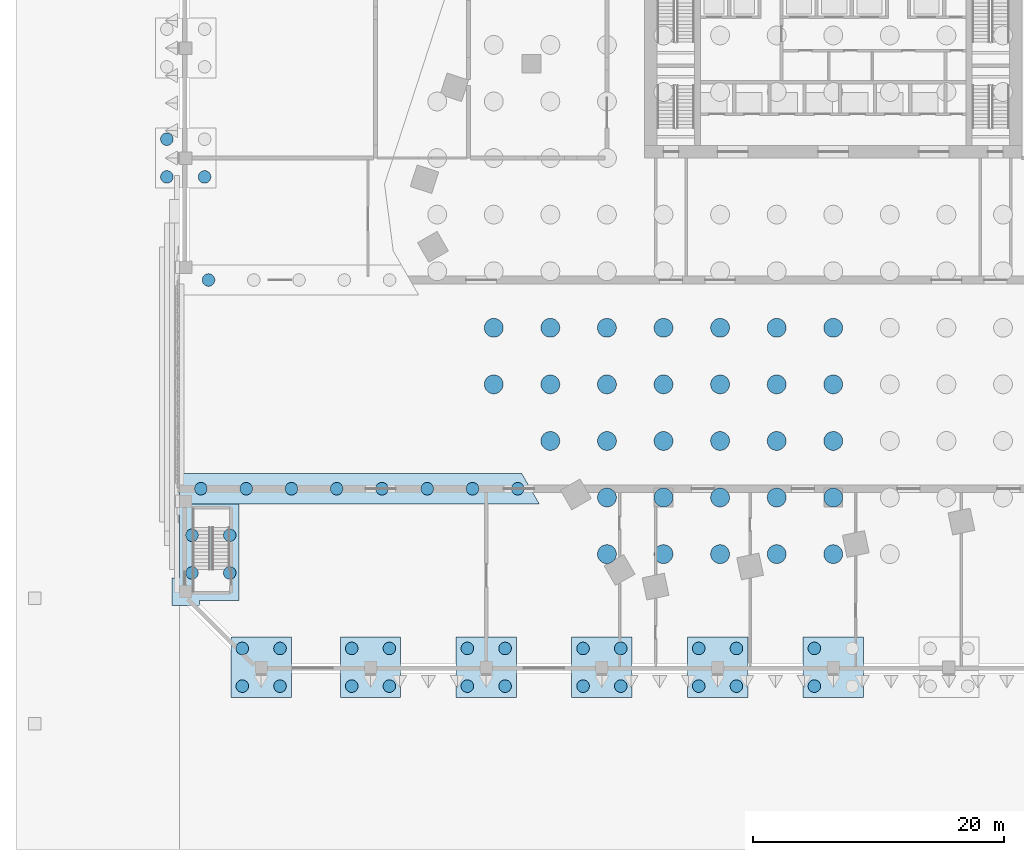
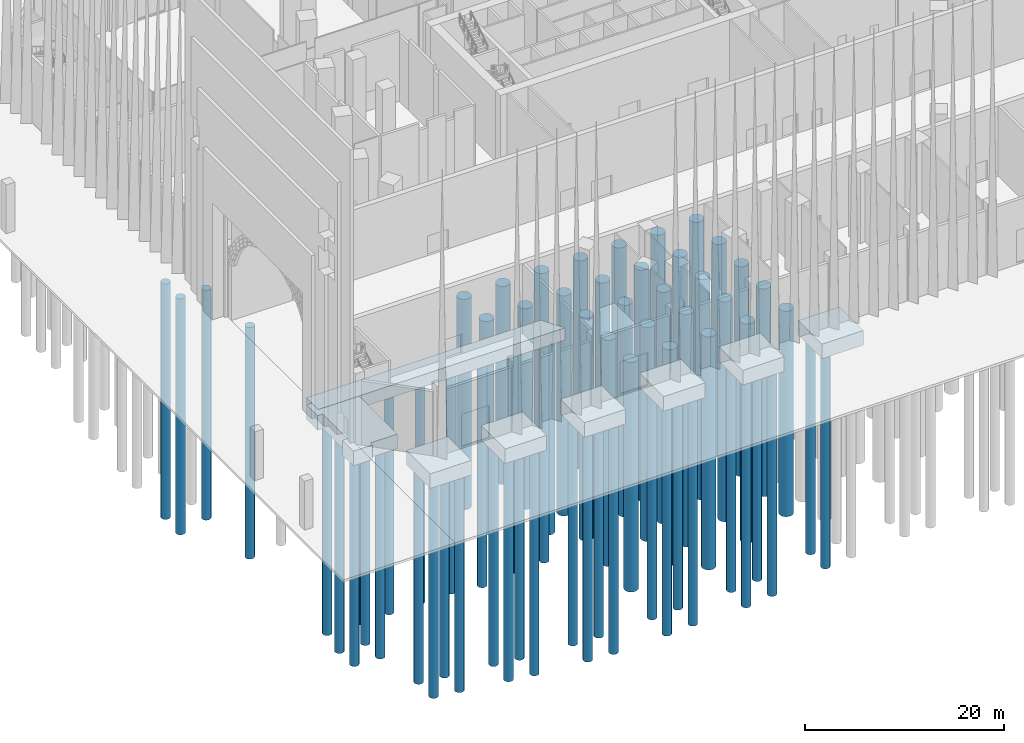
# One storey, part 1 of 32: 68 piles, 8 footings.
"""IFC4 building model written with IfcOpenShell, lengths in metres."""

from ifc_helpers import new_model, si_unit, direction, frame, origin, origin_2d, place, context, subcontext, project, spatial, polyline, circle, outline, extrude, material, layer, layer_set, material_profile, profile_set, type_object, element, save


model = new_model("IFC4")

# Units and contexts
model_context = context("Model", 3, precision=1e-05, world=origin(), true_north=direction((0.0, 1.0)))
body_context = subcontext(model_context, "Body", "Model", "MODEL_VIEW")
ifc_project = project(units=[si_unit("LENGTHUNIT", "METRE"), si_unit("AREAUNIT", "SQUARE_METRE"), si_unit("VOLUMEUNIT", "CUBIC_METRE"), si_unit("PLANEANGLEUNIT", "RADIAN"), si_unit("MASSUNIT", "GRAM", prefix="KILO")], contexts=[model_context])

# Site, building, storey
site_placement = place(None, origin())
site = spatial("IfcSite", under=ifc_project, at=site_placement, CompositionType="ELEMENT")
building_placement = place(site_placement, origin())
building = spatial("IfcBuilding", under=site, at=building_placement, Name="Isthmus Gate Tower", CompositionType="ELEMENT")
storey_placement = place(building_placement, origin())
storey = spatial("IfcBuildingStorey", under=building, at=storey_placement, Name="L00", CompositionType="ELEMENT", Elevation=0.0)

# Piles
ifc_material_1 = material(Name="Concrete f'c 50 MPa", Category="concrete")
ifc_material_profile_1 = material_profile(ifc_material_1, circle(Radius=0.5, at=origin_2d()), Name="D1000")
ifc_profile_set_1 = profile_set([ifc_material_profile_1], Name="Concrete f'c 50 MPa")
pile_type_1 = type_object("IfcPileType", Name="BORED PILE D1000", PredefinedType="BORED", material=ifc_profile_set_1)
pile_1_placement = place(storey_placement, frame((-50.2919921875, -26.300048828125, -1.5), z_axis=(0.0, 0.0, -1.0), x_axis=(1.0, 0.0, 0.0)))
element("IfcPile", 1, at=pile_1_placement, inside=storey, type_object=pile_type_1, Name="str-pile-L00-171", PredefinedType="BORED", context=body_context, shape_type="SweptSolid", body=[
    extrude(circle(Radius=0.5, at=origin_2d()), origin(), (0.0, 0.0, 1.0), 27.531494140625),
])
pile_2_placement = place(storey_placement, frame((-46.69189453125, -26.300048828125, -1.5), z_axis=(0.0, 0.0, -1.0), x_axis=(1.0, 0.0, 0.0)))
element("IfcPile", 2, at=pile_2_placement, inside=storey, type_object=pile_type_1, Name="str-pile-L00-172", PredefinedType="BORED", context=body_context, shape_type="SweptSolid", body=[
    extrude(circle(Radius=0.5, at=origin_2d()), origin(), (0.0, 0.0, 1.0), 27.519775390625),
])
pile_3_placement = place(storey_placement, frame((-43.092041015625, -26.300048828125, -1.5), z_axis=(0.0, 0.0, -1.0), x_axis=(1.0, 0.0, 0.0)))
element("IfcPile", 3, at=pile_3_placement, inside=storey, type_object=pile_type_1, Name="str-pile-L00-173", PredefinedType="BORED", context=body_context, shape_type="SweptSolid", body=[
    extrude(circle(Radius=0.5, at=origin_2d()), origin(), (0.0, 0.0, 1.0), 27.506103515625),
])
pile_4_placement = place(storey_placement, frame((-39.491943359375, -26.300048828125, -1.5), z_axis=(0.0, 0.0, -1.0), x_axis=(1.0, 0.0, 0.0)))
element("IfcPile", 4, at=pile_4_placement, inside=storey, type_object=pile_type_1, Name="str-pile-L00-174", PredefinedType="BORED", context=body_context, shape_type="SweptSolid", body=[
    extrude(circle(Radius=0.5, at=origin_2d()), origin(), (0.0, 0.0, 1.0), 27.49169921875),
])
pile_5_placement = place(storey_placement, frame((-35.891845703125, -26.300048828125, -1.5), z_axis=(0.0, 0.0, -1.0), x_axis=(1.0, 0.0, 0.0)))
element("IfcPile", 5, at=pile_5_placement, inside=storey, type_object=pile_type_1, Name="str-pile-L00-175", PredefinedType="BORED", context=body_context, shape_type="SweptSolid", body=[
    extrude(circle(Radius=0.5, at=origin_2d()), origin(), (0.0, 0.0, 1.0), 27.47802734375),
])
pile_6_placement = place(storey_placement, frame((-32.2919921875, -26.300048828125, -1.5), z_axis=(0.0, 0.0, -1.0), x_axis=(1.0, 0.0, 0.0)))
element("IfcPile", 6, at=pile_6_placement, inside=storey, type_object=pile_type_1, Name="str-pile-L00-176", PredefinedType="BORED", context=body_context, shape_type="SweptSolid", body=[
    extrude(circle(Radius=0.5, at=origin_2d()), origin(), (0.0, 0.0, 1.0), 27.966796875),
])
pile_7_placement = place(storey_placement, frame((-28.69189453125, -26.300048828125, -1.5), z_axis=(0.0, 0.0, -1.0), x_axis=(1.0, 0.0, 0.0)))
element("IfcPile", 7, at=pile_7_placement, inside=storey, type_object=pile_type_1, Name="str-pile-L00-177", PredefinedType="BORED", context=body_context, shape_type="SweptSolid", body=[
    extrude(circle(Radius=0.5, at=origin_2d()), origin(), (0.0, 0.0, 1.0), 27.458984375),
])
pile_8_placement = place(storey_placement, frame((-25.092041015625, -26.300048828125, -1.5), z_axis=(0.0, 0.0, -1.0), x_axis=(1.0, 0.0, 0.0)))
element("IfcPile", 8, at=pile_8_placement, inside=storey, type_object=pile_type_1, Name="str-pile-L00-178", PredefinedType="BORED", context=body_context, shape_type="SweptSolid", body=[
    extrude(circle(Radius=0.5, at=origin_2d()), origin(), (0.0, 0.0, 1.0), 27.45556640625),
])
pile_9_placement = place(storey_placement, frame((-49.683837890625, -9.699951171875, -1.5), z_axis=(0.0, 0.0, -1.0), x_axis=(1.0, 0.0, 0.0)))
element("IfcPile", 9, at=pile_9_placement, inside=storey, type_object=pile_type_1, Name="str-pile-L00-186", PredefinedType="BORED", context=body_context, shape_type="SweptSolid", body=[
    extrude(circle(Radius=0.5, at=origin_2d()), origin(), (0.0, 0.0, 1.0), 28.42919921875),
])
pile_10_placement = place(storey_placement, frame((-47.0, -42.0, -1.800048828125), z_axis=(0.0, 0.0, -1.0), x_axis=(1.0, 0.0, 0.0)))
element("IfcPile", 10, at=pile_10_placement, inside=storey, type_object=pile_type_1, Name="str-pile-L00-196", PredefinedType="BORED", context=body_context, shape_type="SweptSolid", body=[
    extrude(circle(Radius=0.5, at=origin_2d()), origin(), (0.0, 0.0, 1.0), 26.582763671875),
])
pile_11_placement = place(storey_placement, frame((-47.0, -39.0, -1.800048828125), z_axis=(0.0, 0.0, -1.0), x_axis=(1.0, 0.0, 0.0)))
element("IfcPile", 11, at=pile_11_placement, inside=storey, type_object=pile_type_1, Name="str-pile-L00-197", PredefinedType="BORED", context=body_context, shape_type="SweptSolid", body=[
    extrude(circle(Radius=0.5, at=origin_2d()), origin(), (0.0, 0.0, 1.0), 26.6669921875),
])
pile_12_placement = place(storey_placement, frame((-44.0, -42.0, -1.800048828125), z_axis=(0.0, 0.0, -1.0), x_axis=(1.0, 0.0, 0.0)))
element("IfcPile", 12, at=pile_12_placement, inside=storey, type_object=pile_type_1, Name="str-pile-L00-198", PredefinedType="BORED", context=body_context, shape_type="SweptSolid", body=[
    extrude(circle(Radius=0.5, at=origin_2d()), origin(), (0.0, 0.0, 1.0), 26.9150390625),
])
pile_13_placement = place(storey_placement, frame((-44.0, -39.0, -1.800048828125), z_axis=(0.0, 0.0, -1.0), x_axis=(1.0, 0.0, 0.0)))
element("IfcPile", 13, at=pile_13_placement, inside=storey, type_object=pile_type_1, Name="str-pile-L00-199", PredefinedType="BORED", context=body_context, shape_type="SweptSolid", body=[
    extrude(circle(Radius=0.5, at=origin_2d()), origin(), (0.0, 0.0, 1.0), 26.953857421875),
])
pile_14_placement = place(storey_placement, frame((-38.300048828125, -42.0, -1.800048828125), z_axis=(0.0, 0.0, -1.0), x_axis=(1.0, 0.0, 0.0)))
element("IfcPile", 14, at=pile_14_placement, inside=storey, type_object=pile_type_1, Name="str-pile-L00-200", PredefinedType="BORED", context=body_context, shape_type="SweptSolid", body=[
    extrude(circle(Radius=0.5, at=origin_2d()), origin(), (0.0, 0.0, 1.0), 27.581787109375),
])
pile_15_placement = place(storey_placement, frame((-38.300048828125, -39.0, -1.800048828125), z_axis=(0.0, 0.0, -1.0), x_axis=(1.0, 0.0, 0.0)))
element("IfcPile", 15, at=pile_15_placement, inside=storey, type_object=pile_type_1, Name="str-pile-L00-201", PredefinedType="BORED", context=body_context, shape_type="SweptSolid", body=[
    extrude(circle(Radius=0.5, at=origin_2d()), origin(), (0.0, 0.0, 1.0), 27.52978515625),
])
pile_16_placement = place(storey_placement, frame((-35.300048828125, -42.0, -1.800048828125), z_axis=(0.0, 0.0, -1.0), x_axis=(1.0, 0.0, 0.0)))
element("IfcPile", 16, at=pile_16_placement, inside=storey, type_object=pile_type_1, Name="str-pile-L00-202", PredefinedType="BORED", context=body_context, shape_type="SweptSolid", body=[
    extrude(circle(Radius=0.5, at=origin_2d()), origin(), (0.0, 0.0, 1.0), 27.90380859375),
])
pile_17_placement = place(storey_placement, frame((-35.300048828125, -39.0, -1.800048828125), z_axis=(0.0, 0.0, -1.0), x_axis=(1.0, 0.0, 0.0)))
element("IfcPile", 17, at=pile_17_placement, inside=storey, type_object=pile_type_1, Name="str-pile-L00-203", PredefinedType="BORED", context=body_context, shape_type="SweptSolid", body=[
    extrude(circle(Radius=0.5, at=origin_2d()), origin(), (0.0, 0.0, 1.0), 27.807861328125),
])
pile_18_placement = place(storey_placement, frame((-29.10009765625, -42.0, -1.800048828125), z_axis=(0.0, 0.0, -1.0), x_axis=(1.0, 0.0, 0.0)))
element("IfcPile", 18, at=pile_18_placement, inside=storey, type_object=pile_type_1, Name="str-pile-L00-204", PredefinedType="BORED", context=body_context, shape_type="SweptSolid", body=[
    extrude(circle(Radius=0.5, at=origin_2d()), origin(), (0.0, 0.0, 1.0), 28.38525390625),
])
pile_19_placement = place(storey_placement, frame((-29.10009765625, -39.0, -1.800048828125), z_axis=(0.0, 0.0, -1.0), x_axis=(1.0, 0.0, 0.0)))
element("IfcPile", 19, at=pile_19_placement, inside=storey, type_object=pile_type_1, Name="str-pile-L00-205", PredefinedType="BORED", context=body_context, shape_type="SweptSolid", body=[
    extrude(circle(Radius=0.5, at=origin_2d()), origin(), (0.0, 0.0, 1.0), 28.223876953125),
])
pile_20_placement = place(storey_placement, frame((-26.10009765625, -42.0, -1.800048828125), z_axis=(0.0, 0.0, -1.0), x_axis=(1.0, 0.0, 0.0)))
element("IfcPile", 20, at=pile_20_placement, inside=storey, type_object=pile_type_1, Name="str-pile-L00-206", PredefinedType="BORED", context=body_context, shape_type="SweptSolid", body=[
    extrude(circle(Radius=0.5, at=origin_2d()), origin(), (0.0, 0.0, 1.0), 28.494384765625),
])
pile_21_placement = place(storey_placement, frame((-26.10009765625, -39.0, -1.800048828125), z_axis=(0.0, 0.0, -1.0), x_axis=(1.0, 0.0, 0.0)))
element("IfcPile", 21, at=pile_21_placement, inside=storey, type_object=pile_type_1, Name="str-pile-L00-207", PredefinedType="BORED", context=body_context, shape_type="SweptSolid", body=[
    extrude(circle(Radius=0.5, at=origin_2d()), origin(), (0.0, 0.0, 1.0), 28.318115234375),
])
pile_22_placement = place(storey_placement, frame((-19.89990234375, -42.0, -1.800048828125), z_axis=(0.0, 0.0, -1.0), x_axis=(1.0, 0.0, 0.0)))
element("IfcPile", 22, at=pile_22_placement, inside=storey, type_object=pile_type_1, Name="str-pile-L00-208", PredefinedType="BORED", context=body_context, shape_type="SweptSolid", body=[
    extrude(circle(Radius=0.5, at=origin_2d()), origin(), (0.0, 0.0, 1.0), 28.42138671875),
])
pile_23_placement = place(storey_placement, frame((-19.89990234375, -39.0, -1.800048828125), z_axis=(0.0, 0.0, -1.0), x_axis=(1.0, 0.0, 0.0)))
element("IfcPile", 23, at=pile_23_placement, inside=storey, type_object=pile_type_1, Name="str-pile-L00-209", PredefinedType="BORED", context=body_context, shape_type="SweptSolid", body=[
    extrude(circle(Radius=0.5, at=origin_2d()), origin(), (0.0, 0.0, 1.0), 28.255126953125),
])
pile_24_placement = place(storey_placement, frame((-16.89990234375, -42.0, -1.800048828125), z_axis=(0.0, 0.0, -1.0), x_axis=(1.0, 0.0, 0.0)))
element("IfcPile", 24, at=pile_24_placement, inside=storey, type_object=pile_type_1, Name="str-pile-L00-210", PredefinedType="BORED", context=body_context, shape_type="SweptSolid", body=[
    extrude(circle(Radius=0.5, at=origin_2d()), origin(), (0.0, 0.0, 1.0), 28.247314453125),
])
pile_25_placement = place(storey_placement, frame((-16.89990234375, -39.0, -1.800048828125), z_axis=(0.0, 0.0, -1.0), x_axis=(1.0, 0.0, 0.0)))
element("IfcPile", 25, at=pile_25_placement, inside=storey, type_object=pile_type_1, Name="str-pile-L00-211", PredefinedType="BORED", context=body_context, shape_type="SweptSolid", body=[
    extrude(circle(Radius=0.5, at=origin_2d()), origin(), (0.0, 0.0, 1.0), 28.1044921875),
])
pile_26_placement = place(storey_placement, frame((-10.699951171875, -42.0, -1.800048828125), z_axis=(0.0, 0.0, -1.0), x_axis=(1.0, 0.0, 0.0)))
element("IfcPile", 26, at=pile_26_placement, inside=storey, type_object=pile_type_1, Name="str-pile-L00-212", PredefinedType="BORED", context=body_context, shape_type="SweptSolid", body=[
    extrude(circle(Radius=0.5, at=origin_2d()), origin(), (0.0, 0.0, 1.0), 28.1669921875),
])
pile_27_placement = place(storey_placement, frame((-10.699951171875, -39.0, -1.800048828125), z_axis=(0.0, 0.0, -1.0), x_axis=(1.0, 0.0, 0.0)))
element("IfcPile", 27, at=pile_27_placement, inside=storey, type_object=pile_type_1, Name="str-pile-L00-213", PredefinedType="BORED", context=body_context, shape_type="SweptSolid", body=[
    extrude(circle(Radius=0.5, at=origin_2d()), origin(), (0.0, 0.0, 1.0), 28.103271484375),
])
pile_28_placement = place(storey_placement, frame((-7.699951171875, -42.0, -1.800048828125), z_axis=(0.0, 0.0, -1.0), x_axis=(1.0, 0.0, 0.0)))
element("IfcPile", 28, at=pile_28_placement, inside=storey, type_object=pile_type_1, Name="str-pile-L00-214", PredefinedType="BORED", context=body_context, shape_type="SweptSolid", body=[
    extrude(circle(Radius=0.5, at=origin_2d()), origin(), (0.0, 0.0, 1.0), 27.822021484375),
])
pile_29_placement = place(storey_placement, frame((-7.699951171875, -39.0, -1.800048828125), z_axis=(0.0, 0.0, -1.0), x_axis=(1.0, 0.0, 0.0)))
element("IfcPile", 29, at=pile_29_placement, inside=storey, type_object=pile_type_1, Name="str-pile-L00-215", PredefinedType="BORED", context=body_context, shape_type="SweptSolid", body=[
    extrude(circle(Radius=0.5, at=origin_2d()), origin(), (0.0, 0.0, 1.0), 27.805419921875),
])
pile_30_placement = place(storey_placement, frame((-1.5, -42.0, -1.800048828125), z_axis=(0.0, 0.0, -1.0), x_axis=(1.0, 0.0, 0.0)))
element("IfcPile", 30, at=pile_30_placement, inside=storey, type_object=pile_type_1, Name="str-pile-L00-216", PredefinedType="BORED", context=body_context, shape_type="SweptSolid", body=[
    extrude(circle(Radius=0.5, at=origin_2d()), origin(), (0.0, 0.0, 1.0), 26.610107421875),
])
pile_31_placement = place(storey_placement, frame((-1.5, -39.0, -1.800048828125), z_axis=(0.0, 0.0, -1.0), x_axis=(1.0, 0.0, 0.0)))
element("IfcPile", 31, at=pile_31_placement, inside=storey, type_object=pile_type_1, Name="str-pile-L00-217", PredefinedType="BORED", context=body_context, shape_type="SweptSolid", body=[
    extrude(circle(Radius=0.5, at=origin_2d()), origin(), (0.0, 0.0, 1.0), 26.690673828125),
])
pile_32_placement = place(storey_placement, frame((-53.0, -1.5, -1.800048828125), z_axis=(0.0, 0.0, -1.0), x_axis=(1.0, 0.0, 0.0)))
element("IfcPile", 32, at=pile_32_placement, inside=storey, type_object=pile_type_1, Name="str-pile-L00-304", PredefinedType="BORED", context=body_context, shape_type="SweptSolid", body=[
    extrude(circle(Radius=0.5, at=origin_2d()), origin(), (0.0, 0.0, 1.0), 28.96044921875),
])
pile_33_placement = place(storey_placement, frame((-53.0, 1.5, -1.800048828125), z_axis=(0.0, 0.0, -1.0), x_axis=(1.0, 0.0, 0.0)))
element("IfcPile", 33, at=pile_33_placement, inside=storey, type_object=pile_type_1, Name="str-pile-L00-305", PredefinedType="BORED", context=body_context, shape_type="SweptSolid", body=[
    extrude(circle(Radius=0.5, at=origin_2d()), origin(), (0.0, 0.0, 1.0), 28.880859375),
])
pile_34_placement = place(storey_placement, frame((-50.0, -1.5, -1.800048828125), z_axis=(0.0, 0.0, -1.0), x_axis=(1.0, 0.0, 0.0)))
element("IfcPile", 34, at=pile_34_placement, inside=storey, type_object=pile_type_1, Name="str-pile-L00-306", PredefinedType="BORED", context=body_context, shape_type="SweptSolid", body=[
    extrude(circle(Radius=0.5, at=origin_2d()), origin(), (0.0, 0.0, 1.0), 28.212158203125),
])
pile_35_placement = place(storey_placement, frame((-51.0, -33.0, -1.800048828125), z_axis=(0.0, 0.0, -1.0), x_axis=(1.0, 0.0, 0.0)))
element("IfcPile", 35, at=pile_35_placement, inside=storey, type_object=pile_type_1, Name="str-pile-L00-308", PredefinedType="BORED", context=body_context, shape_type="SweptSolid", body=[
    extrude(circle(Radius=0.5, at=origin_2d()), origin(), (0.0, 0.0, 1.0), 26.721435546875),
])
pile_36_placement = place(storey_placement, frame((-51.0, -30.0, -1.800048828125), z_axis=(0.0, 0.0, -1.0), x_axis=(1.0, 0.0, 0.0)))
element("IfcPile", 36, at=pile_36_placement, inside=storey, type_object=pile_type_1, Name="str-pile-L00-309", PredefinedType="BORED", context=body_context, shape_type="SweptSolid", body=[
    extrude(circle(Radius=0.5, at=origin_2d()), origin(), (0.0, 0.0, 1.0), 26.9443359375),
])
pile_37_placement = place(storey_placement, frame((-48.0, -33.0, -1.800048828125), z_axis=(0.0, 0.0, -1.0), x_axis=(1.0, 0.0, 0.0)))
element("IfcPile", 37, at=pile_37_placement, inside=storey, type_object=pile_type_1, Name="str-pile-L00-310", PredefinedType="BORED", context=body_context, shape_type="SweptSolid", body=[
    extrude(circle(Radius=0.5, at=origin_2d()), origin(), (0.0, 0.0, 1.0), 26.851318359375),
])
pile_38_placement = place(storey_placement, frame((-48.0, -30.0, -1.800048828125), z_axis=(0.0, 0.0, -1.0), x_axis=(1.0, 0.0, 0.0)))
element("IfcPile", 38, at=pile_38_placement, inside=storey, type_object=pile_type_1, Name="str-pile-L00-311", PredefinedType="BORED", context=body_context, shape_type="SweptSolid", body=[
    extrude(circle(Radius=0.5, at=origin_2d()), origin(), (0.0, 0.0, 1.0), 27.013671875),
])
ifc_material_2 = material(Name="Concrete f'c 50 MPa", Category="concrete")
ifc_material_profile_2 = material_profile(ifc_material_2, circle(Radius=0.75, at=origin_2d()), Name="D1500")
ifc_profile_set_2 = profile_set([ifc_material_profile_2], Name="Concrete f'c 50 MPa")
pile_type_2 = type_object("IfcPileType", Name="BORED PILE D1500", PredefinedType="BORED", material=ifc_profile_set_2)
pile_39_placement = place(storey_placement, frame((-27.0, -18.0, -3.5), z_axis=(0.0, 0.0, -1.0), x_axis=(1.0, 0.0, 0.0)))
element("IfcPile", 39, at=pile_39_placement, inside=storey, type_object=pile_type_2, Name="str-pile-L00-005", PredefinedType="BORED", context=body_context, shape_type="SweptSolid", body=[
    extrude(circle(Radius=0.75, at=origin_2d()), origin(), (0.0, 0.0, 1.0), 26.16845703125),
])
pile_40_placement = place(storey_placement, frame((-27.0, -13.5, -3.5), z_axis=(0.0, 0.0, -1.0), x_axis=(1.0, 0.0, 0.0)))
element("IfcPile", 40, at=pile_40_placement, inside=storey, type_object=pile_type_2, Name="str-pile-L00-006", PredefinedType="BORED", context=body_context, shape_type="SweptSolid", body=[
    extrude(circle(Radius=0.75, at=origin_2d()), origin(), (0.0, 0.0, 1.0), 25.84130859375),
])
pile_41_placement = place(storey_placement, frame((-22.5, -22.5, -3.5), z_axis=(0.0, 0.0, -1.0), x_axis=(1.0, 0.0, 0.0)))
element("IfcPile", 41, at=pile_41_placement, inside=storey, type_object=pile_type_2, Name="str-pile-L00-014", PredefinedType="BORED", context=body_context, shape_type="SweptSolid", body=[
    extrude(circle(Radius=0.75, at=origin_2d()), origin(), (0.0, 0.0, 1.0), 25.0673828125),
])
pile_42_placement = place(storey_placement, frame((-22.5, -18.0, -3.5), z_axis=(0.0, 0.0, -1.0), x_axis=(1.0, 0.0, 0.0)))
element("IfcPile", 42, at=pile_42_placement, inside=storey, type_object=pile_type_2, Name="str-pile-L00-015", PredefinedType="BORED", context=body_context, shape_type="SweptSolid", body=[
    extrude(circle(Radius=0.75, at=origin_2d()), origin(), (0.0, 0.0, 1.0), 24.64892578125),
])
pile_43_placement = place(storey_placement, frame((-22.5, -13.5, -3.5), z_axis=(0.0, 0.0, -1.0), x_axis=(1.0, 0.0, 0.0)))
element("IfcPile", 43, at=pile_43_placement, inside=storey, type_object=pile_type_2, Name="str-pile-L00-016", PredefinedType="BORED", context=body_context, shape_type="SweptSolid", body=[
    extrude(circle(Radius=0.75, at=origin_2d()), origin(), (0.0, 0.0, 1.0), 24.31396484375),
])
pile_44_placement = place(storey_placement, frame((-18.0, -31.5, -3.5), z_axis=(0.0, 0.0, -1.0), x_axis=(1.0, 0.0, 0.0)))
element("IfcPile", 44, at=pile_44_placement, inside=storey, type_object=pile_type_2, Name="str-pile-L00-027", PredefinedType="BORED", context=body_context, shape_type="SweptSolid", body=[
    extrude(circle(Radius=0.75, at=origin_2d()), origin(), (0.0, 0.0, 1.0), 28.169189453125),
])
pile_45_placement = place(storey_placement, frame((-18.0, -27.0, -3.5), z_axis=(0.0, 0.0, -1.0), x_axis=(1.0, 0.0, 0.0)))
element("IfcPile", 45, at=pile_45_placement, inside=storey, type_object=pile_type_2, Name="str-pile-L00-028", PredefinedType="BORED", context=body_context, shape_type="SweptSolid", body=[
    extrude(circle(Radius=0.75, at=origin_2d()), origin(), (0.0, 0.0, 1.0), 27.774658203125),
])
pile_46_placement = place(storey_placement, frame((-18.0, -22.5, -3.5), z_axis=(0.0, 0.0, -1.0), x_axis=(1.0, 0.0, 0.0)))
element("IfcPile", 46, at=pile_46_placement, inside=storey, type_object=pile_type_2, Name="str-pile-L00-029", PredefinedType="BORED", context=body_context, shape_type="SweptSolid", body=[
    extrude(circle(Radius=0.75, at=origin_2d()), origin(), (0.0, 0.0, 1.0), 27.37744140625),
])
pile_47_placement = place(storey_placement, frame((-18.0, -18.0, -3.5), z_axis=(0.0, 0.0, -1.0), x_axis=(1.0, 0.0, 0.0)))
element("IfcPile", 47, at=pile_47_placement, inside=storey, type_object=pile_type_2, Name="str-pile-L00-030", PredefinedType="BORED", context=body_context, shape_type="SweptSolid", body=[
    extrude(circle(Radius=0.75, at=origin_2d()), origin(), (0.0, 0.0, 1.0), 27.016845703125),
])
pile_48_placement = place(storey_placement, frame((-18.0, -13.5, -3.5), z_axis=(0.0, 0.0, -1.0), x_axis=(1.0, 0.0, 0.0)))
element("IfcPile", 48, at=pile_48_placement, inside=storey, type_object=pile_type_2, Name="str-pile-L00-031", PredefinedType="BORED", context=body_context, shape_type="SweptSolid", body=[
    extrude(circle(Radius=0.75, at=origin_2d()), origin(), (0.0, 0.0, 1.0), 26.728515625),
])
pile_49_placement = place(storey_placement, frame((-13.5, -31.5, -3.5), z_axis=(0.0, 0.0, -1.0), x_axis=(1.0, 0.0, 0.0)))
element("IfcPile", 49, at=pile_49_placement, inside=storey, type_object=pile_type_2, Name="str-pile-L00-042", PredefinedType="BORED", context=body_context, shape_type="SweptSolid", body=[
    extrude(circle(Radius=0.75, at=origin_2d()), origin(), (0.0, 0.0, 1.0), 26.533935546875),
])
pile_50_placement = place(storey_placement, frame((-13.5, -27.0, -3.5), z_axis=(0.0, 0.0, -1.0), x_axis=(1.0, 0.0, 0.0)))
element("IfcPile", 50, at=pile_50_placement, inside=storey, type_object=pile_type_2, Name="str-pile-L00-043", PredefinedType="BORED", context=body_context, shape_type="SweptSolid", body=[
    extrude(circle(Radius=0.75, at=origin_2d()), origin(), (0.0, 0.0, 1.0), 26.2666015625),
])
pile_51_placement = place(storey_placement, frame((-13.5, -22.5, -3.5), z_axis=(0.0, 0.0, -1.0), x_axis=(1.0, 0.0, 0.0)))
element("IfcPile", 51, at=pile_51_placement, inside=storey, type_object=pile_type_2, Name="str-pile-L00-044", PredefinedType="BORED", context=body_context, shape_type="SweptSolid", body=[
    extrude(circle(Radius=0.75, at=origin_2d()), origin(), (0.0, 0.0, 1.0), 25.997802734375),
])
pile_52_placement = place(storey_placement, frame((-13.5, -18.0, -3.5), z_axis=(0.0, 0.0, -1.0), x_axis=(1.0, 0.0, 0.0)))
element("IfcPile", 52, at=pile_52_placement, inside=storey, type_object=pile_type_2, Name="str-pile-L00-045", PredefinedType="BORED", context=body_context, shape_type="SweptSolid", body=[
    extrude(circle(Radius=0.75, at=origin_2d()), origin(), (0.0, 0.0, 1.0), 25.753662109375),
])
pile_53_placement = place(storey_placement, frame((-13.5, -13.5, -3.5), z_axis=(0.0, 0.0, -1.0), x_axis=(1.0, 0.0, 0.0)))
element("IfcPile", 53, at=pile_53_placement, inside=storey, type_object=pile_type_2, Name="str-pile-L00-046", PredefinedType="BORED", context=body_context, shape_type="SweptSolid", body=[
    extrude(circle(Radius=0.75, at=origin_2d()), origin(), (0.0, 0.0, 1.0), 25.558349609375),
])
pile_54_placement = place(storey_placement, frame((-9.0, -31.5, -3.5), z_axis=(0.0, 0.0, -1.0), x_axis=(1.0, 0.0, 0.0)))
element("IfcPile", 54, at=pile_54_placement, inside=storey, type_object=pile_type_2, Name="str-pile-L00-053", PredefinedType="BORED", context=body_context, shape_type="SweptSolid", body=[
    extrude(circle(Radius=0.75, at=origin_2d()), origin(), (0.0, 0.0, 1.0), 28.6025390625),
])
pile_55_placement = place(storey_placement, frame((-9.0, -27.0, -3.5), z_axis=(0.0, 0.0, -1.0), x_axis=(1.0, 0.0, 0.0)))
element("IfcPile", 55, at=pile_55_placement, inside=storey, type_object=pile_type_2, Name="str-pile-L00-054", PredefinedType="BORED", context=body_context, shape_type="SweptSolid", body=[
    extrude(circle(Radius=0.75, at=origin_2d()), origin(), (0.0, 0.0, 1.0), 28.506103515625),
])
pile_56_placement = place(storey_placement, frame((-9.0, -22.5, -3.5), z_axis=(0.0, 0.0, -1.0), x_axis=(1.0, 0.0, 0.0)))
element("IfcPile", 56, at=pile_56_placement, inside=storey, type_object=pile_type_2, Name="str-pile-L00-055", PredefinedType="BORED", context=body_context, shape_type="SweptSolid", body=[
    extrude(circle(Radius=0.75, at=origin_2d()), origin(), (0.0, 0.0, 1.0), 28.408935546875),
])
pile_57_placement = place(storey_placement, frame((-9.0, -18.0, -3.5), z_axis=(0.0, 0.0, -1.0), x_axis=(1.0, 0.0, 0.0)))
element("IfcPile", 57, at=pile_57_placement, inside=storey, type_object=pile_type_2, Name="str-pile-L00-056", PredefinedType="BORED", context=body_context, shape_type="SweptSolid", body=[
    extrude(circle(Radius=0.75, at=origin_2d()), origin(), (0.0, 0.0, 1.0), 28.320556640625),
])
pile_58_placement = place(storey_placement, frame((-9.0, -13.5, -3.5), z_axis=(0.0, 0.0, -1.0), x_axis=(1.0, 0.0, 0.0)))
element("IfcPile", 58, at=pile_58_placement, inside=storey, type_object=pile_type_2, Name="str-pile-L00-057", PredefinedType="BORED", context=body_context, shape_type="SweptSolid", body=[
    extrude(circle(Radius=0.75, at=origin_2d()), origin(), (0.0, 0.0, 1.0), 28.250244140625),
])
pile_59_placement = place(storey_placement, frame((-4.5, -31.5, -3.5), z_axis=(0.0, 0.0, -1.0), x_axis=(1.0, 0.0, 0.0)))
element("IfcPile", 59, at=pile_59_placement, inside=storey, type_object=pile_type_2, Name="str-pile-L00-064", PredefinedType="BORED", context=body_context, shape_type="SweptSolid", body=[
    extrude(circle(Radius=0.75, at=origin_2d()), origin(), (0.0, 0.0, 1.0), 26.904541015625),
])
pile_60_placement = place(storey_placement, frame((-4.5, -27.0, -3.5), z_axis=(0.0, 0.0, -1.0), x_axis=(1.0, 0.0, 0.0)))
element("IfcPile", 60, at=pile_60_placement, inside=storey, type_object=pile_type_2, Name="str-pile-L00-065", PredefinedType="BORED", context=body_context, shape_type="SweptSolid", body=[
    extrude(circle(Radius=0.75, at=origin_2d()), origin(), (0.0, 0.0, 1.0), 26.994384765625),
])
pile_61_placement = place(storey_placement, frame((-4.5, -22.5, -3.5), z_axis=(0.0, 0.0, -1.0), x_axis=(1.0, 0.0, 0.0)))
element("IfcPile", 61, at=pile_61_placement, inside=storey, type_object=pile_type_2, Name="str-pile-L00-066", PredefinedType="BORED", context=body_context, shape_type="SweptSolid", body=[
    extrude(circle(Radius=0.75, at=origin_2d()), origin(), (0.0, 0.0, 1.0), 27.084716796875),
])
pile_62_placement = place(storey_placement, frame((-4.5, -18.0, -3.5), z_axis=(0.0, 0.0, -1.0), x_axis=(1.0, 0.0, 0.0)))
element("IfcPile", 62, at=pile_62_placement, inside=storey, type_object=pile_type_2, Name="str-pile-L00-067", PredefinedType="BORED", context=body_context, shape_type="SweptSolid", body=[
    extrude(circle(Radius=0.75, at=origin_2d()), origin(), (0.0, 0.0, 1.0), 27.166748046875),
])
pile_63_placement = place(storey_placement, frame((-4.5, -13.5, -3.5), z_axis=(0.0, 0.0, -1.0), x_axis=(1.0, 0.0, 0.0)))
element("IfcPile", 63, at=pile_63_placement, inside=storey, type_object=pile_type_2, Name="str-pile-L00-068", PredefinedType="BORED", context=body_context, shape_type="SweptSolid", body=[
    extrude(circle(Radius=0.75, at=origin_2d()), origin(), (0.0, 0.0, 1.0), 27.232177734375),
])
pile_64_placement = place(storey_placement, frame((0.0, -31.5, -3.5), z_axis=(0.0, 0.0, -1.0), x_axis=(1.0, 0.0, 0.0)))
element("IfcPile", 64, at=pile_64_placement, inside=storey, type_object=pile_type_2, Name="str-pile-L00-075", PredefinedType="BORED", context=body_context, shape_type="SweptSolid", body=[
    extrude(circle(Radius=0.75, at=origin_2d()), origin(), (0.0, 0.0, 1.0), 25.22216796875),
])
pile_65_placement = place(storey_placement, frame((0.0, -27.0, -3.5), z_axis=(0.0, 0.0, -1.0), x_axis=(1.0, 0.0, 0.0)))
element("IfcPile", 65, at=pile_65_placement, inside=storey, type_object=pile_type_2, Name="str-pile-L00-076", PredefinedType="BORED", context=body_context, shape_type="SweptSolid", body=[
    extrude(circle(Radius=0.75, at=origin_2d()), origin(), (0.0, 0.0, 1.0), 25.483642578125),
])
pile_66_placement = place(storey_placement, frame((0.0, -22.5, -3.5), z_axis=(0.0, 0.0, -1.0), x_axis=(1.0, 0.0, 0.0)))
element("IfcPile", 66, at=pile_66_placement, inside=storey, type_object=pile_type_2, Name="str-pile-L00-077", PredefinedType="BORED", context=body_context, shape_type="SweptSolid", body=[
    extrude(circle(Radius=0.75, at=origin_2d()), origin(), (0.0, 0.0, 1.0), 25.746826171875),
])
pile_67_placement = place(storey_placement, frame((0.0, -18.0, -3.5), z_axis=(0.0, 0.0, -1.0), x_axis=(1.0, 0.0, 0.0)))
element("IfcPile", 67, at=pile_67_placement, inside=storey, type_object=pile_type_2, Name="str-pile-L00-078", PredefinedType="BORED", context=body_context, shape_type="SweptSolid", body=[
    extrude(circle(Radius=0.75, at=origin_2d()), origin(), (0.0, 0.0, 1.0), 25.98583984375),
])
pile_68_placement = place(storey_placement, frame((0.0, -13.5, -3.5), z_axis=(0.0, 0.0, -1.0), x_axis=(1.0, 0.0, 0.0)))
element("IfcPile", 68, at=pile_68_placement, inside=storey, type_object=pile_type_2, Name="str-pile-L00-079", PredefinedType="BORED", context=body_context, shape_type="SweptSolid", body=[
    extrude(circle(Radius=0.75, at=origin_2d()), origin(), (0.0, 0.0, 1.0), 26.1767578125),
])

# Footings
ifc_material_3 = material(Name="Concrete f'c 50 MPa", Category="concrete")
footing_type_1 = type_object("IfcFootingType", Name="PILE CAP 4800 X 4800 X 1800", PredefinedType="PILE_CAP", material=ifc_material_3)
footing_1_placement = place(storey_placement, frame((0.0, 0.0, -2.10009765625)))
element("IfcFooting", 69, at=footing_1_placement, inside=storey, type_object=footing_type_1, Name="str-cap-L00-PC01", PredefinedType="PILE_CAP", context=body_context, shape_type="SweptSolid", body=[
    extrude(outline(polyline([(-43.10009765625, -42.89990234375), (-43.10009765625, -38.10009765625), (-47.89990234375, -38.10009765625), (-47.89990234375, -42.89990234375), (-43.10009765625, -42.89990234375)])), origin(), (0.0, 0.0, 1.0), 1.800048828125),
])
footing_2_placement = place(storey_placement, frame((0.0, 0.0, -2.10009765625)))
element("IfcFooting", 70, at=footing_2_placement, inside=storey, type_object=footing_type_1, Name="str-cap-L00-PC02", PredefinedType="PILE_CAP", context=body_context, shape_type="SweptSolid", body=[
    extrude(outline(polyline([(-34.39990234375, -42.89990234375), (-34.39990234375, -38.10009765625), (-39.199951171875, -38.10009765625), (-39.199951171875, -42.89990234375), (-34.39990234375, -42.89990234375)])), origin(), (0.0, 0.0, 1.0), 1.800048828125),
])
footing_3_placement = place(storey_placement, frame((0.0, 0.0, -2.10009765625)))
element("IfcFooting", 71, at=footing_3_placement, inside=storey, type_object=footing_type_1, Name="str-cap-L00-PC03", PredefinedType="PILE_CAP", context=body_context, shape_type="SweptSolid", body=[
    extrude(outline(polyline([(-25.199951171875, -42.89990234375), (-25.199951171875, -38.10009765625), (-30.0, -38.10009765625), (-30.0, -42.89990234375), (-25.199951171875, -42.89990234375)])), origin(), (0.0, 0.0, 1.0), 1.800048828125),
])
footing_4_placement = place(storey_placement, frame((0.0, 0.0, -2.10009765625)))
element("IfcFooting", 72, at=footing_4_placement, inside=storey, type_object=footing_type_1, Name="str-cap-L00-PC04", PredefinedType="PILE_CAP", context=body_context, shape_type="SweptSolid", body=[
    extrude(outline(polyline([(-16.0, -42.89990234375), (-16.0, -38.10009765625), (-20.800048828125, -38.10009765625), (-20.800048828125, -42.89990234375), (-16.0, -42.89990234375)])), origin(), (0.0, 0.0, 1.0), 1.800048828125),
])
footing_5_placement = place(storey_placement, frame((0.0, 0.0, -2.10009765625)))
element("IfcFooting", 73, at=footing_5_placement, inside=storey, type_object=footing_type_1, Name="str-cap-L00-PC05", PredefinedType="PILE_CAP", context=body_context, shape_type="SweptSolid", body=[
    extrude(outline(polyline([(-6.800048828125, -42.89990234375), (-6.800048828125, -38.10009765625), (-11.60009765625, -38.10009765625), (-11.60009765625, -42.89990234375), (-6.800048828125, -42.89990234375)])), origin(), (0.0, 0.0, 1.0), 1.800048828125),
])
footing_6_placement = place(storey_placement, frame((0.0, 0.0, -2.10009765625)))
element("IfcFooting", 74, at=footing_6_placement, inside=storey, type_object=footing_type_1, Name="str-cap-L00-PC06", PredefinedType="PILE_CAP", context=body_context, shape_type="SweptSolid", body=[
    extrude(outline(polyline([(2.39990234375, -42.89990234375), (2.39990234375, -38.10009765625), (-2.39990234375, -38.10009765625), (-2.39990234375, -42.89990234375), (2.39990234375, -42.89990234375)])), origin(), (0.0, 0.0, 1.0), 1.800048828125),
])
ifc_material_4 = material(Name="Concrete f'c 50 MPa", Category="concrete")
ifc_layer_1 = layer(ifc_material_4, 1.800048828125)
ifc_layer_set_1 = layer_set([ifc_layer_1], Name="SHAFT PILE CAP 1800")
footing_type_2 = type_object("IfcFootingType", Name="SHAFT PILE CAP 1800", PredefinedType="PILE_CAP", material=ifc_layer_set_1)
footing_7_placement = place(storey_placement, frame((0.0, 0.0, -2.10009765625)))
element("IfcFooting", 75, at=footing_7_placement, inside=storey, type_object=footing_type_2, Name="str-shaftcap-L00-ST3", PredefinedType="PILE_CAP", context=body_context, shape_type="SweptSolid", body=[
    extrude(outline(polyline([(-50.39990234375, -35.199951171875), (-50.39990234375, -35.60009765625), (-52.60009765625, -35.60009765625), (-52.60009765625, -33.39990234375), (-52.0, -33.39990234375), (-52.0, -28.39990234375), (-52.60009765625, -28.39990234375), (-52.60009765625, -26.199951171875), (-52.0009765625, -26.199951171875), (-52.0009765625, -27.5), (-52.0009765625, -27.5), (-52.0009765625, -27.500244140625), (-52.0009765625, -27.500244140625), (-52.0009765625, -27.50048828125), (-52.0009765625, -27.50048828125), (-52.000732421875, -27.50048828125), (-52.000732421875, -27.50048828125), (-52.000732421875, -27.500732421875), (-52.00048828125, -27.500732421875), (-52.00048828125, -27.500732421875), (-52.00048828125, -27.5009765625), (-52.00048828125, -27.5009765625), (-52.000244140625, -27.5009765625), (-52.000244140625, -27.5009765625), (-52.0, -27.5009765625), (-52.0, -27.5009765625), (-47.27490234375, -27.5009765625), (-47.27490234375, -35.199951171875), (-50.39990234375, -35.199951171875)])), origin(), (0.0, 0.0, 1.0), 1.800048828125),
])
ifc_material_5 = material(Name="Concrete f'c 50 MPa", Category="concrete")
ifc_layer_2 = layer(ifc_material_5, 1.5)
ifc_layer_set_2 = layer_set([ifc_layer_2], Name="WALL STRIP FOOTING 2400 X 1500")
footing_type_3 = type_object("IfcFootingType", Name="WALL STRIP FOOTING 2400 X 1500", PredefinedType="STRIP_FOOTING", material=ifc_layer_set_2)
footing_8_placement = place(storey_placement, frame((0.0, 0.0, -1.800048828125)))
element("IfcFooting", 76, at=footing_8_placement, inside=storey, type_object=footing_type_3, Name="str-strip-L00-S1", PredefinedType="STRIP_FOOTING", context=body_context, shape_type="SweptSolid", body=[
    extrude(outline(polyline([(-52.0, -27.5), (-52.0, -25.10009765625), (-24.76953125, -25.10009765625), (-23.3837890625, -27.5), (-52.0, -27.5)])), origin(), (0.0, 0.0, 1.0), 1.5),
])

save(model, "model.ifc")
